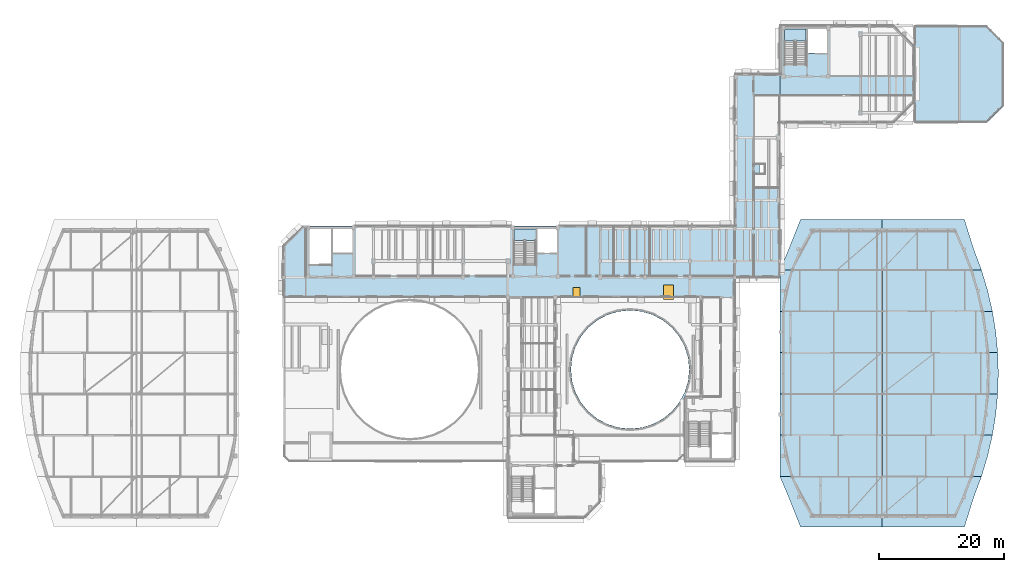
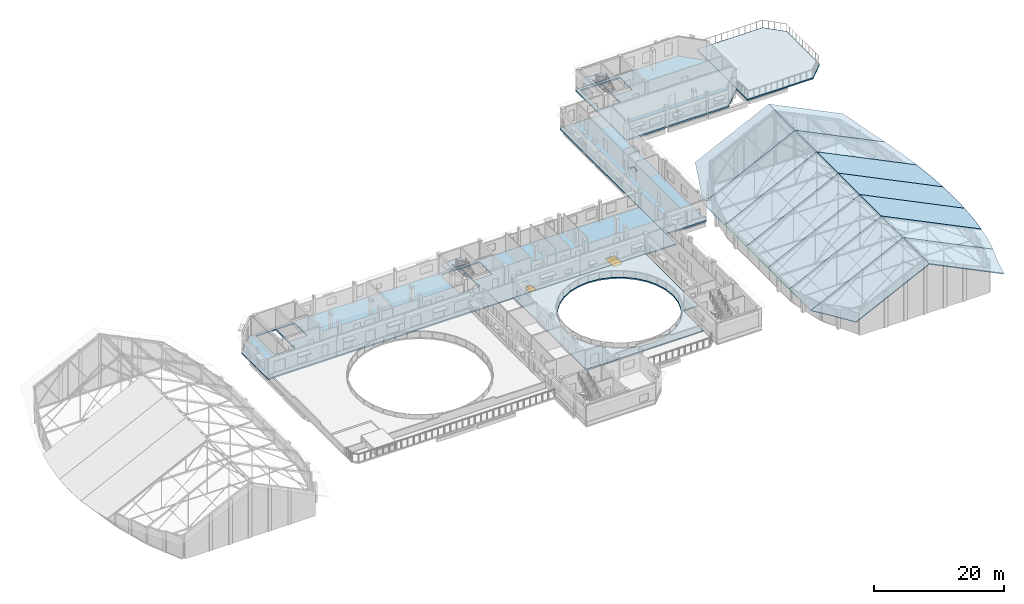
# One storey, part 37 of 78: 21 slabs, 2 windows, 2 openings, 2 elements without a shape of their own.
"""IFC4 building model written with IfcOpenShell, lengths in metres."""

from ifc_helpers import new_model, si_unit, direction, frame, origin, origin_2d, place, context, subcontext, project, spatial, polyline, rectangle, outline, extrude, material, layer, layer_set, type_object, element, fill, aggregate, save


model = new_model("IFC4")

# Units and contexts
model_context = context("Model", 3, precision=1e-05, world=origin(), true_north=direction((0.0, 1.0)))
body_context = subcontext(model_context, "Body", "Model", "MODEL_VIEW")
ifc_project = project(units=[si_unit("LENGTHUNIT", "METRE"), si_unit("AREAUNIT", "SQUARE_METRE"), si_unit("VOLUMEUNIT", "CUBIC_METRE"), si_unit("PLANEANGLEUNIT", "RADIAN"), si_unit("MASSUNIT", "GRAM", prefix="KILO")], contexts=[model_context])

# Site, building, storey
site_placement = place(None, origin())
site = spatial("IfcSite", under=ifc_project, at=site_placement, CompositionType="ELEMENT")
building_placement = place(site_placement, origin())
building = spatial("IfcBuilding", under=site, at=building_placement, Name="Kelanivale Promenade Academy", CompositionType="ELEMENT")
storey_placement = place(building_placement, frame((0.0, 0.0, 16.199951171875)))
storey = spatial("IfcBuildingStorey", under=building, at=storey_placement, Name="L04", CompositionType="ELEMENT", Elevation=16.199951171875)

# Slab, opening, window
ifc_material_1 = material(Name="Concrete C35/45", Category="concrete")
ifc_layer_1 = layer(ifc_material_1, 0.219970703125)
ifc_layer_set_1 = layer_set([ifc_layer_1], Name="Concrete C35/45")
slab_type_1 = type_object("IfcSlabType", Name="FS-01 Slab 220mm", PredefinedType="FLOOR", material=ifc_layer_set_1)
slab_1_placement = place(storey_placement, frame((0.0, 0.0, -0.219970703125)))
slab_1 = element("IfcSlab", 1, at=slab_1_placement, inside=storey, type_object=slab_type_1, Name="L04 structural slab SLB-L04-V4N", PredefinedType="FLOOR", context=body_context, shape_type="SweptSolid", body=[
    extrude(outline(polyline([(115.60009765625, 68.39990234375), (115.60009765625, 79.85009765625), (46.406005859375, 79.85009765625), (43.199951171875, 76.64404296875), (43.199951171875, 68.39990234375), (115.60009765625, 68.39990234375)]), holes=[polyline([(87.034912109375, 75.52490234375), (83.885009765625, 75.52490234375), (83.885009765625, 79.385009765625), (87.034912109375, 79.385009765625), (87.034912109375, 75.52490234375)]), polyline([(80.1650390625, 73.60498046875), (80.1650390625, 79.385009765625), (83.6650390625, 79.385009765625), (83.6650390625, 73.60498046875), (80.1650390625, 73.60498046875)]), polyline([(54.235107421875, 75.52490234375), (51.0849609375, 75.52490234375), (51.0849609375, 79.385009765625), (54.235107421875, 79.385009765625), (54.235107421875, 75.52490234375)]), polyline([(47.364990234375, 73.60498046875), (47.364990234375, 79.385009765625), (50.864990234375, 79.385009765625), (50.864990234375, 73.60498046875), (47.364990234375, 73.60498046875)])]), origin(), (0.0, 0.0, 1.0), 0.219970703125),
])
opening_1_placement = place(slab_1_placement, frame((90.199951171875, 69.199951171875, 0.0)))
opening_1 = element("IfcOpeningElement", 2, at=opening_1_placement, cuts=slab_1, Name="Opening RH-04", PredefinedType="OPENING", context=body_context, shape_type="SweptSolid", body=[
    extrude(rectangle(XDim=1.199951171875, YDim=1.5, at=origin_2d()), frame((0.0, 0.0, -0.010009765625)), (0.0, 0.0, 1.0), 0.239990234375),
])
ifc_material_2 = material(Name="Bronze anodised aluminium frame with low-E laminated glass", Category="aluminium")
window_type_1 = type_object("IfcWindowType", Name="RH-02 Skylight 1200x1500", PartitioningType="SINGLE_PANEL", PredefinedType="SKYLIGHT", material=ifc_material_2)
window_1_placement = place(opening_1_placement, frame((0.0, 0.0, 0.169921875)))
window_1 = element("IfcWindow", 3, at=window_1_placement, inside=storey, type_object=window_type_1, Name="Roof maintenance access hatch RH-04", OverallHeight=1.5, OverallWidth=1.199951171875, PartitioningType="SINGLE_PANEL", PredefinedType="SKYLIGHT", context=body_context, shape_type="SweptSolid", body=[
    extrude(rectangle(XDim=1.199951171875, YDim=1.5, at=origin_2d()), origin(), (0.0, 0.0, 1.0), 0.050048828125),
])
fill(opening_1, window_1)

# Slabs
ifc_layer_2 = layer(ifc_material_1, 0.280029296875)
ifc_layer_set_2 = layer_set([ifc_layer_2], Name="Concrete C35/45")
slab_type_2 = type_object("IfcSlabType", Name="FS-03 Slab 280mm", PredefinedType="FLOOR", material=ifc_layer_set_2)
slab_2_placement = place(storey_placement, frame((0.0, 0.0, -0.280029296875)))
element("IfcSlab", 4, at=slab_2_placement, inside=storey, type_object=slab_type_2, Name="L04 structural slab SLB-L04-V5K", PredefinedType="FLOOR", context=body_context, shape_type="SweptSolid", body=[
    extrude(outline(polyline([(115.60009765625, 104.199951171875), (115.60009765625, 71.60009765625), (122.800048828125, 71.60009765625), (122.800048828125, 104.199951171875), (115.60009765625, 104.199951171875)]), holes=[polyline([(119.550048828125, 88.35009765625), (119.550048828125, 89.64990234375), (120.320068359375, 89.64990234375), (120.320068359375, 88.35009765625), (119.550048828125, 88.35009765625)])]), origin(), (0.0, 0.0, 1.0), 0.280029296875),
])
slab_3_placement = place(storey_placement, frame((0.0, 0.0, -0.280029296875)))
element("IfcSlab", 5, at=slab_3_placement, inside=storey, type_object=slab_type_2, Name="L04 structural slab SLB-L04-V5M", PredefinedType="FLOOR", context=body_context, shape_type="SweptSolid", body=[
    extrude(outline(polyline([(144.39990234375, 108.618896484375), (141.01904296875, 112.0), (122.85009765625, 112.0), (122.85009765625, 96.39990234375), (141.01904296875, 96.39990234375), (144.39990234375, 99.781005859375), (144.39990234375, 108.618896484375)]), holes=[polyline([(127.284912109375, 111.43505859375), (130.43505859375, 111.43505859375), (130.43505859375, 107.574951171875), (127.284912109375, 107.574951171875), (127.284912109375, 111.43505859375)]), polyline([(127.06494140625, 111.43505859375), (127.06494140625, 105.655029296875), (123.56494140625, 105.655029296875), (123.56494140625, 111.43505859375), (127.06494140625, 111.43505859375)])]), origin(), (0.0, 0.0, 1.0), 0.280029296875),
])

# Stair, slab
stair_type = type_object("IfcStairType", Name="ST-T02 Protected dog-leg upper-storey stair", PredefinedType="HALF_TURN_STAIR", material=ifc_material_1)
stair_1_placement = place(storey_placement, origin())
stair_1 = element("IfcStair", 6, at=stair_1_placement, inside=storey, type_object=stair_type, Name="L04 ST-02", PredefinedType="HALF_TURN_STAIR")
ifc_layer_3 = layer(ifc_material_1, 0.199951171875)
ifc_layer_set_3 = layer_set([ifc_layer_3], Name="Concrete C35/45")
slab_type_3 = type_object("IfcSlabType", Name="LS-01 Slab 200mm", PredefinedType="LANDING", material=ifc_layer_set_3)
slab_4_placement = place(storey_placement, frame((0.0, 0.0, 1.800048828125)))
slab_4 = element("IfcSlab", 7, at=slab_4_placement, type_object=slab_type_3, Name="ST-02 landing 1", PredefinedType="LANDING", context=body_context, shape_type="SweptSolid", body=[
    extrude(outline(polyline([(83.6650390625, 77.5048828125), (83.6650390625, 79.385009765625), (80.1650390625, 79.385009765625), (80.1650390625, 77.5048828125), (83.6650390625, 77.5048828125)])), origin(), (0.0, 0.0, 1.0), 0.199951171875),
])
aggregate(stair_1, [slab_4])

stair_2_placement = place(storey_placement, origin())
stair_2 = element("IfcStair", 8, at=stair_2_placement, inside=storey, type_object=stair_type, Name="L04 ST-05", PredefinedType="HALF_TURN_STAIR")
slab_5_placement = place(storey_placement, frame((0.0, 0.0, 1.800048828125)))
slab_5 = element("IfcSlab", 9, at=slab_5_placement, type_object=slab_type_3, Name="ST-05 landing 1", PredefinedType="LANDING", context=body_context, shape_type="SweptSolid", body=[
    extrude(outline(polyline([(127.06494140625, 109.554931640625), (127.06494140625, 111.43505859375), (123.56494140625, 111.43505859375), (123.56494140625, 109.554931640625), (127.06494140625, 109.554931640625)])), origin(), (0.0, 0.0, 1.0), 0.199951171875),
])
aggregate(stair_2, [slab_5])

# Slab
ifc_layer_4 = layer(ifc_material_1, 0.235107421875)
ifc_layer_set_4 = layer_set([ifc_layer_4], Name="Concrete C35/45")
slab_type_4 = type_object("IfcSlabType", Name="PD-01 Slab 235mm", PredefinedType="FLOOR", material=ifc_layer_set_4)
slab_6_placement = place(storey_placement, frame((0.0, 0.0, -0.23486328125)))
element("IfcSlab", 10, at=slab_6_placement, inside=storey, type_object=slab_type_4, Name="Science Mezzanine Rooftop Play Deck", PredefinedType="FLOOR", context=body_context, shape_type="SweptSolid", body=[
    extrude(outline(polyline([(156.035888671875, 96.39990234375), (158.800048828125, 99.1640625), (158.800048828125, 109.236083984375), (156.035888671875, 112.0), (144.39990234375, 112.0), (144.39990234375, 96.39990234375), (156.035888671875, 96.39990234375)])), origin(), (0.0, 0.0, 1.0), 0.23486328125),
])

# Slab, opening, window
ifc_layer_5 = layer(ifc_material_1, 0.239990234375)
ifc_layer_set_5 = layer_set([ifc_layer_5], Name="Concrete C35/45")
slab_type_5 = type_object("IfcSlabType", Name="RS-01 Slab 240mm", PredefinedType="ROOF", material=ifc_layer_set_5)
slab_7_placement = place(storey_placement, frame((0.0, 0.0, -0.239990234375)))
slab_7 = element("IfcSlab", 11, at=slab_7_placement, inside=storey, type_object=slab_type_5, Name="L04 planted roof slab RF-L04-CY2E", PredefinedType="ROOF", context=body_context, shape_type="SweptSolid", body=[
    extrude(outline(polyline([(107.60009765625, 52.39990234375), (110.199951171875, 52.39990234375), (110.199951171875, 68.39990234375), (86.800048828125, 68.39990234375), (86.800048828125, 46.199951171875), (107.60009765625, 46.199951171875), (107.60009765625, 52.39990234375)]), holes=[polyline([(96.947021484375, 66.116943359375), (98.800048828125, 66.300048828125), (100.653076171875, 66.116943359375), (102.43505859375, 65.576904296875), (104.077880859375, 64.698974609375), (105.51806640625, 63.51806640625), (106.698974609375, 62.077880859375), (107.576904296875, 60.43505859375), (108.116943359375, 58.653076171875), (108.300048828125, 56.800048828125), (108.116943359375, 54.947021484375), (107.576904296875, 53.1650390625), (106.698974609375, 51.52197265625), (105.51806640625, 50.08203125), (104.077880859375, 48.90087890625), (102.43505859375, 48.02294921875), (100.653076171875, 47.48291015625), (98.800048828125, 47.300048828125), (96.947021484375, 47.48291015625), (95.1650390625, 48.02294921875), (93.52197265625, 48.90087890625), (92.08203125, 50.08203125), (90.90087890625, 51.52197265625), (90.02294921875, 53.1650390625), (89.48291015625, 54.947021484375), (89.300048828125, 56.800048828125), (89.48291015625, 58.653076171875), (90.02294921875, 60.43505859375), (90.90087890625, 62.077880859375), (92.08203125, 63.51806640625), (93.52197265625, 64.698974609375), (95.1650390625, 65.576904296875), (96.947021484375, 66.116943359375)])]), origin(), (0.0, 0.0, 1.0), 0.239990234375),
])
opening_2_placement = place(slab_7_placement, frame((105.0, 69.199951171875, 0.0)))
opening_2 = element("IfcOpeningElement", 12, at=opening_2_placement, cuts=slab_7, Name="Opening SK-05", PredefinedType="OPENING", context=body_context, shape_type="SweptSolid", body=[
    extrude(rectangle(XDim=1.60009765625, YDim=2.39990234375, at=origin_2d()), frame((0.0, 0.0, -0.010009765625)), (0.0, 0.0, 1.0), 0.260009765625),
])
window_type_2 = type_object("IfcWindowType", Name="SK-03 Skylight 1600x2400", PartitioningType="SINGLE_PANEL", PredefinedType="SKYLIGHT", material=ifc_material_2)
window_2_placement = place(opening_2_placement, frame((0.0, 0.0, 0.18994140625)))
window_2 = element("IfcWindow", 13, at=window_2_placement, inside=storey, type_object=window_type_2, Name="Solar-control skylight SK-03", OverallHeight=2.39990234375, OverallWidth=1.60009765625, PartitioningType="SINGLE_PANEL", PredefinedType="SKYLIGHT", context=body_context, shape_type="SweptSolid", body=[
    extrude(rectangle(XDim=1.60009765625, YDim=2.39990234375, at=origin_2d()), origin(), (0.0, 0.0, 1.0), 0.050048828125),
])
fill(opening_2, window_2)

# Slabs
ifc_material_3 = material(Name="Precast concrete C35/45", Category="concrete")
ifc_layer_6 = layer(ifc_material_3, 0.159912109375)
ifc_layer_set_6 = layer_set([ifc_layer_6], Name="Precast concrete C35/45")
slab_type_6 = type_object("IfcSlabType", Name="RS-02 Slab 160mm", PredefinedType="ROOF", material=ifc_layer_set_6)
slab_8_placement = place(storey_placement, frame((126.14990234375, 31.5, 4.027099609375), z_axis=(-0.438832059217, 3.1146588e-05, 0.898569097417), x_axis=(0.898569097853, 3.36e-10, 0.43883205943)))
element("IfcSlab", 14, at=slab_8_placement, inside=storey, type_object=slab_type_6, Name="Assembly Hall Arc Pavilion west roof facet bay 1", PredefinedType="ROOF", context=body_context, shape_type="SweptSolid", body=[
    extrude(outline(polyline([(0.0, 0.0), (14.52306788742657, -2.710505431213761e-20), (14.523067890160522, 8.128906246057035), (-3.672526368115162, 8.128906262482529), (-2.1144202565317705, 4.813964845700458), (0.0, 0.0)])), origin(), (0.0, 0.0, -1.0), 0.159912109375),
])
slab_9_placement = place(storey_placement, frame((139.199951171875, 31.5, 10.400146484375), z_axis=(0.438842583672, 2.6715047e-05, 0.898563957681), x_axis=(0.898563958001, -2.17e-10, -0.438842583828)))
element("IfcSlab", 15, at=slab_9_placement, inside=storey, type_object=slab_type_6, Name="Assembly Hall Arc Pavilion east roof facet bay 1", PredefinedType="ROOF", context=body_context, shape_type="SweptSolid", body=[
    extrude(outline(polyline([(0.0, 0.0), (14.732378895766571, -2.710505431213761e-20), (16.411795297307727, 4.8139648442128635), (17.794109143696552, 8.128906258956844), (-1.7607068061902307e-09, 8.128906247099225), (0.0, 0.0)])), origin(), (0.0, 0.0, -1.0), 0.159912109375),
])
slab_10_placement = place(storey_placement, frame((122.85009765625, 39.62890625, 2.4150390625), z_axis=(-0.43884839963, 0.0, 0.898561117644), x_axis=(0.898561117644, 0.0, 0.43884839963)))
element("IfcSlab", 16, at=slab_10_placement, inside=storey, type_object=slab_type_6, Name="Assembly Hall Arc Pavilion west roof facet bay 2", PredefinedType="ROOF", context=body_context, shape_type="SweptSolid", body=[
    extrude(outline(polyline([(0.0, 0.0), (18.195594261284196, 0.0), (18.195594261284196, 6.628173828125), (0.0, 6.628173828125), (0.0, 0.0)])), origin(), (0.0, 0.0, -1.0), 0.159912109375),
])
slab_11_placement = place(storey_placement, frame((139.199951171875, 39.62890625, 10.400146484375), z_axis=(0.438853918694, -4.7300787e-05, 0.898558420922), x_axis=(0.898558421927, -2e-10, -0.438853919185)))
element("IfcSlab", 17, at=slab_11_placement, inside=storey, type_object=slab_type_6, Name="Assembly Hall Arc Pavilion east roof facet bay 2", PredefinedType="ROOF", context=body_context, shape_type="SweptSolid", body=[
    extrude(outline(polyline([(0.0, 0.0), (17.794109147820674, -1.0842021724855044e-19), (18.899196998574403, 3.3142089737664815), (19.74355291132491, 6.6281738495553055), (-1.3234285303359008e-09, 6.628173820710179), (0.0, 0.0)])), origin(), (0.0, 0.0, -1.0), 0.159912109375),
])
slab_12_placement = place(storey_placement, frame((122.85009765625, 46.257080078125, 2.4150390625), z_axis=(-0.43884839963, 0.0, 0.898561117644), x_axis=(0.898561117644, 0.0, 0.43884839963)))
element("IfcSlab", 18, at=slab_12_placement, inside=storey, type_object=slab_type_6, Name="Assembly Hall Arc Pavilion west roof facet bay 3", PredefinedType="ROOF", context=body_context, shape_type="SweptSolid", body=[
    extrude(outline(polyline([(0.0, 0.0), (18.195594261284196, 0.0), (18.195594261284196, 6.62890625), (0.0, 6.62890625), (0.0, 0.0)])), origin(), (0.0, 0.0, -1.0), 0.159912109375),
])
slab_13_placement = place(storey_placement, frame((139.199951171875, 46.257080078125, 10.400146484375), z_axis=(0.438826708411, 2.8602615e-05, 0.898571710643), x_axis=(0.89857171101, 1.03e-10, -0.43882670859)))
element("IfcSlab", 19, at=slab_13_placement, inside=storey, type_object=slab_type_6, Name="Assembly Hall Arc Pavilion east roof facet bay 3", PredefinedType="ROOF", context=body_context, shape_type="SweptSolid", body=[
    extrude(outline(polyline([(0.0, 0.0), (19.743552919538818, -2.710505431213761e-20), (20.338956958460063, 3.313964833010532), (20.6930464691849, 6.628906257664532), (6.856615876210224e-10, 6.628906247288414), (0.0, 0.0)])), origin(), (0.0, 0.0, -1.0), 0.159912109375),
])
slab_14_placement = place(storey_placement, frame((122.85009765625, 52.885986328125, 2.4150390625), z_axis=(-0.43884839963, 0.0, 0.898561117644), x_axis=(0.898561117644, 0.0, 0.43884839963)))
element("IfcSlab", 20, at=slab_14_placement, inside=storey, type_object=slab_type_6, Name="Assembly Hall Arc Pavilion west roof facet bay 4", PredefinedType="ROOF", context=body_context, shape_type="SweptSolid", body=[
    extrude(outline(polyline([(0.0, 0.0), (18.195594261284196, 0.0), (18.195594261284196, 6.6279296875), (0.0, 6.6279296875), (0.0, 0.0)])), origin(), (0.0, 0.0, -1.0), 0.159912109375),
])
slab_15_placement = place(storey_placement, frame((139.199951171875, 52.885986328125, 10.400146484375), z_axis=(0.438850651559, 0.0, 0.898560017821), x_axis=(0.898560017821, 0.0, -0.438850651559)))
element("IfcSlab", 21, at=slab_15_placement, inside=storey, type_object=slab_type_6, Name="Assembly Hall Arc Pavilion east roof facet bay 4", PredefinedType="ROOF", context=body_context, shape_type="SweptSolid", body=[
    extrude(outline(polyline([(0.0, 0.0), (20.69304647281343, 0.0), (20.81107631571292, 3.313964843750001), (20.69304647281343, 6.627929687500002), (0.0, 6.627929687500002), (0.0, 0.0)])), origin(), (0.0, 0.0, -1.0), 0.159912109375),
])
slab_16_placement = place(storey_placement, frame((122.85009765625, 59.513916015625, 2.4150390625), z_axis=(-0.43884839963, 0.0, 0.898561117644), x_axis=(0.898561117644, 0.0, 0.43884839963)))
element("IfcSlab", 22, at=slab_16_placement, inside=storey, type_object=slab_type_6, Name="Assembly Hall Arc Pavilion west roof facet bay 5", PredefinedType="ROOF", context=body_context, shape_type="SweptSolid", body=[
    extrude(outline(polyline([(0.0, 0.0), (18.195594261284196, 0.0), (18.195594261284196, 6.629150390625), (0.0, 6.629150390625), (0.0, 0.0)])), origin(), (0.0, 0.0, -1.0), 0.159912109375),
])
slab_17_placement = place(storey_placement, frame((139.199951171875, 59.513916015625, 10.400146484375), z_axis=(0.43882670856, -2.860155e-05, 0.89857171057), x_axis=(0.898571710937, -6.05e-10, -0.43882670874)))
element("IfcSlab", 23, at=slab_17_placement, inside=storey, type_object=slab_type_6, Name="Assembly Hall Arc Pavilion east roof facet bay 5", PredefinedType="ROOF", context=body_context, shape_type="SweptSolid", body=[
    extrude(outline(polyline([(0.0, 0.0), (20.69304646849931, -5.421010862427522e-20), (20.338956956112092, 3.3151855651007214), (19.743552915529268, 6.629150397813162), (-4.009562124305874e-09, 6.629150387913517), (0.0, 0.0)])), origin(), (0.0, 0.0, -1.0), 0.159912109375),
])
slab_18_placement = place(storey_placement, frame((122.85009765625, 66.14306640625, 2.4150390625), z_axis=(-0.43884839963, 0.0, 0.898561117644), x_axis=(0.898561117644, 0.0, 0.43884839963)))
element("IfcSlab", 24, at=slab_18_placement, inside=storey, type_object=slab_type_6, Name="Assembly Hall Arc Pavilion west roof facet bay 6", PredefinedType="ROOF", context=body_context, shape_type="SweptSolid", body=[
    extrude(outline(polyline([(0.0, 0.0), (18.195594261284196, 0.0), (18.195594261284196, 6.6279296875), (0.0, 6.6279296875), (0.0, 0.0)])), origin(), (0.0, 0.0, -1.0), 0.159912109375),
])
slab_19_placement = place(storey_placement, frame((139.199951171875, 66.14306640625, 10.400146484375), z_axis=(0.43885391843, 4.7302484e-05, 0.898558421051), x_axis=(0.898558422056, -1.261e-09, -0.438853918921)))
element("IfcSlab", 25, at=slab_19_placement, inside=storey, type_object=slab_type_6, Name="Assembly Hall Arc Pavilion east roof facet bay 6", PredefinedType="ROOF", context=body_context, shape_type="SweptSolid", body=[
    extrude(outline(polyline([(0.0, 0.0), (19.743552912648493, 5.421010862427522e-20), (18.89919699505599, 3.313964874556202), (17.794109139460488, 6.627929706082863), (-8.360164603665887e-09, 6.627929680084922), (0.0, 0.0)])), origin(), (0.0, 0.0, -1.0), 0.159912109375),
])
slab_20_placement = place(storey_placement, frame((122.85009765625, 72.77099609375, 2.4150390625), z_axis=(-0.438832059217, -3.1146588e-05, 0.898569097417), x_axis=(0.898569097853, 5.66e-10, 0.43883205943)))
element("IfcSlab", 26, at=slab_20_placement, inside=storey, type_object=slab_type_6, Name="Assembly Hall Arc Pavilion west roof facet bay 7", PredefinedType="ROOF", context=body_context, shape_type="SweptSolid", body=[
    extrude(outline(polyline([(0.0, 0.0), (18.195594258275683, -2.710505431213761e-20), (18.195594262879844, 8.128906246057035), (3.6725263754532738, 8.128906259167273), (1.5581061145758492, 3.3149414153755403), (0.0, 0.0)])), origin(), (0.0, 0.0, -1.0), 0.159912109375),
])
slab_21_placement = place(storey_placement, frame((139.199951171875, 72.77099609375, 10.400146484375), z_axis=(0.438842583672, -2.6715047e-05, 0.898563957681), x_axis=(0.898563958001, -4.5e-10, -0.438842583828)))
element("IfcSlab", 27, at=slab_21_placement, inside=storey, type_object=slab_type_6, Name="Assembly Hall Arc Pavilion east roof facet bay 7", PredefinedType="ROOF", context=body_context, shape_type="SweptSolid", body=[
    extrude(outline(polyline([(0.0, 0.0), (17.79410914545726, 2.710505431213761e-20), (16.411795296859427, 3.314941413822836), (14.732378892110345, 8.128906256916572), (-3.6562250458906982e-09, 8.128906247099225), (0.0, 0.0)])), origin(), (0.0, 0.0, -1.0), 0.159912109375),
])

save(model, "model.ifc")
